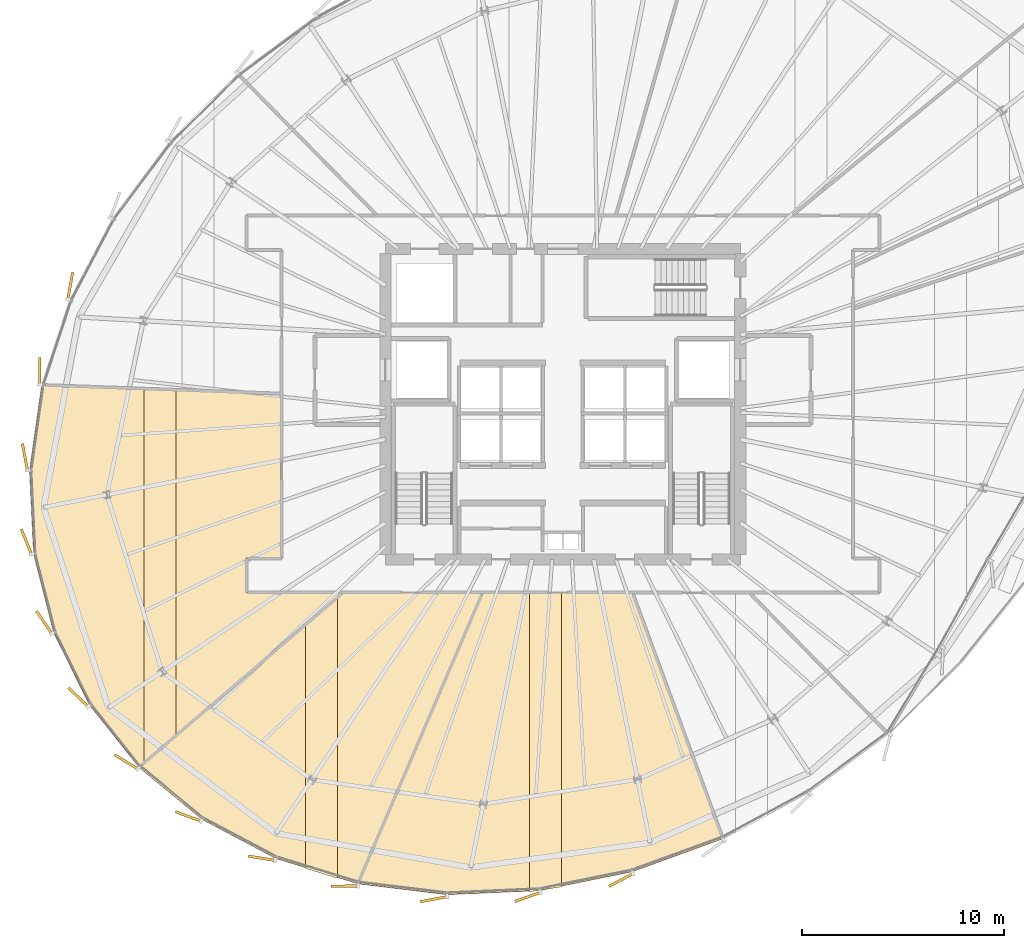
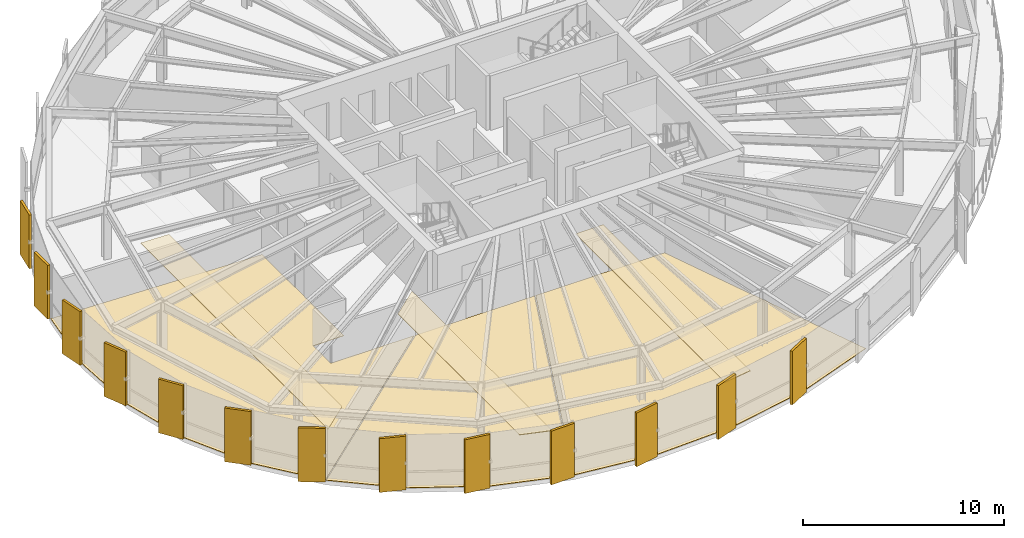
# One storey, part 33 of 36: 19 coverings.
"""IFC4 building model written with IfcOpenShell, lengths in metres."""

from ifc_helpers import new_model, si_unit, direction, frame, origin, origin_2d, place, context, subcontext, project, spatial, polyline, rectangle, outline, extrude, source, transform, mapped, material, layer, layer_set, type_object, element, save


model = new_model("IFC4")

# Units and contexts
model_context = context("Model", 3, precision=1e-05, world=origin(), true_north=direction((0.0, 1.0)))
body_context = subcontext(model_context, "Body", "Model", "MODEL_VIEW")
ifc_project = project(units=[si_unit("LENGTHUNIT", "METRE"), si_unit("AREAUNIT", "SQUARE_METRE"), si_unit("VOLUMEUNIT", "CUBIC_METRE"), si_unit("PLANEANGLEUNIT", "RADIAN"), si_unit("MASSUNIT", "GRAM", prefix="KILO"), si_unit("THERMODYNAMICTEMPERATUREUNIT", "KELVIN")], contexts=[model_context])

# Site, building, storey
site_placement = place(None, origin())
site = spatial("IfcSite", under=ifc_project, at=site_placement, CompositionType="ELEMENT")
building_placement = place(site_placement, origin())
building = spatial("IfcBuilding", under=site, at=building_placement, Name="Kethvar Cultural Tower", CompositionType="ELEMENT")
storey_placement = place(building_placement, frame((0.0, 0.0, 164.300048828125)))
storey = spatial("IfcBuildingStorey", under=building, at=storey_placement, Name="L42", CompositionType="ELEMENT", Elevation=164.300048828125)

# Coverings
ifc_material_1 = material(Name="Acoustic Mineral Fibre Ceiling")
ifc_layer_1 = layer(ifc_material_1, 0.0400390625, Name="Acoustic Mineral Fibre Ceiling")
ifc_layer_set_1 = layer_set([ifc_layer_1], Name="Acoustic Mineral Fibre Ceiling (40 mm)")
covering_type_1 = type_object("IfcCoveringType", Name="CV-ACOUSTIC-CEIL", PredefinedType="CEILING", material=ifc_layer_set_1)
covering_1_placement = place(storey_placement, frame((0.0, 0.0, 2.889892578125)))
element("IfcCovering", 1, at=covering_1_placement, inside=storey, type_object=covering_type_1, Name="L42 Room 01 Acoustic Ceiling Panel", PredefinedType="CEILING", context=body_context, shape_type="SweptSolid", body=[
    extrude(outline(polyline([(34.02587890625, 4.76904296875), (34.02587890625, 16.867919921875), (35.615966796875, 18.23193359375), (35.615966796875, 4.27978515625), (34.02587890625, 4.76904296875)])), origin(), (0.0, 0.0, 1.0), 0.0400390625),
])
covering_2_placement = place(storey_placement, frame((0.0, 0.0, 2.889892578125)))
element("IfcCovering", 2, at=covering_2_placement, inside=storey, type_object=covering_type_1, Name="L42 Room 02 Acoustic Ceiling Panel", PredefinedType="CEILING", context=body_context, shape_type="SweptSolid", body=[
    extrude(outline(polyline([(46.72802734375, 3.85009765625), (45.137939453125, 3.606689453125), (45.137939453125, 18.469970703125), (46.72802734375, 18.469970703125), (46.72802734375, 3.85009765625)])), origin(), (0.0, 0.0, 1.0), 0.0400390625),
])
covering_3_placement = place(storey_placement, frame((0.0, 0.0, 2.889892578125)))
element("IfcCovering", 3, at=covering_3_placement, inside=storey, type_object=covering_type_1, Name="L42 Room 10 Acoustic Ceiling Panel", PredefinedType="CEILING", context=body_context, shape_type="SweptSolid", body=[
    extrude(outline(polyline([(27.606689453125, 28.531494140625), (27.606689453125, 11.30859375), (26.0166015625, 9.944580078125), (26.0166015625, 28.590576171875), (27.606689453125, 28.531494140625)])), origin(), (0.0, 0.0, 1.0), 0.0400390625),
])
ifc_material_2 = material(Name="Architectural Oak Timber", Category="wood")
ifc_layer_2 = layer(ifc_material_2, 0.02490234375, Name="Architectural Oak Timber", Category="wood")
ifc_layer_set_2 = layer_set([ifc_layer_2], Name="Architectural Oak Timber (25 mm)")
covering_type_2 = type_object("IfcCoveringType", Name="CV-OAK-FLOOR", PredefinedType="FLOORING", material=ifc_layer_set_2)
covering_4_placement = place(storey_placement, origin())
element("IfcCovering", 4, at=covering_4_placement, inside=storey, type_object=covering_type_2, Name="L42 Room 01 Floor Finish", PredefinedType="FLOORING", context=body_context, shape_type="SweptSolid", body=[
    extrude(outline(polyline([(36.640869140625, 4.006591796875), (32.562744140625, 5.260986328125), (28.902099609375, 7.20458984375), (25.802001953125, 9.76025390625), (35.908203125, 18.429931640625), (42.785888671875, 18.429931640625), (36.640869140625, 4.006591796875)])), origin(), (0.0, 0.0, 1.0), 0.02490234375),
])
covering_5_placement = place(storey_placement, origin())
element("IfcCovering", 5, at=covering_5_placement, inside=storey, type_object=covering_type_2, Name="L42 Room 02 Floor Finish", PredefinedType="FLOORING", context=body_context, shape_type="SweptSolid", body=[
    extrude(outline(polyline([(50.2470703125, 4.60546875), (45.635009765625, 3.6689453125), (41.058349609375, 3.465576171875), (36.680908203125, 3.998779296875), (42.82958984375, 18.429931640625), (50.237548828125, 18.429931640625), (54.737060546875, 6.24072265625), (50.2470703125, 4.60546875)])), origin(), (0.0, 0.0, 1.0), 0.02490234375),
])
covering_6_placement = place(storey_placement, origin())
element("IfcCovering", 6, at=covering_6_placement, inside=storey, type_object=covering_type_2, Name="L42 Room 10 Floor Finish", PredefinedType="FLOORING", context=body_context, shape_type="SweptSolid", body=[
    extrude(outline(polyline([(23.306884765625, 12.890625), (21.5419921875, 16.46044921875), (20.544189453125, 20.37451171875), (20.343994140625, 24.514404296875), (20.9453125, 28.73828125), (32.830078125, 28.2978515625), (32.830078125, 20.169921875), (31.0859375, 20.1640625), (31.080810546875, 18.444091796875), (35.8466796875, 18.429931640625), (25.7734375, 9.78857421875), (23.306884765625, 12.890625)])), origin(), (0.0, 0.0, 1.0), 0.02490234375),
])
ifc_material_3 = material(Name="Extruded Architectural Terracotta", Category="masonry")
ifc_layer_3 = layer(ifc_material_3, 0.135009765625, Name="Extruded Architectural Terracotta", Category="masonry")
ifc_layer_set_3 = layer_set([ifc_layer_3], Name="Extruded Architectural Terracotta (135 mm)")
covering_type_3 = type_object("IfcCoveringType", Name="Terracotta Facade Fin FIN-02", PredefinedType="CLADDING", material=ifc_layer_set_3)
shared_shape = source(origin(), body_context, "Body", "SweptSolid", [
    extrude(rectangle(XDim=1.35009765625, YDim=0.135009765625, at=origin_2d()), origin(), (0.0, 0.0, 1.0), 3.260009765625),
])
for number, where, z_axis, x_axis, name in (
    (7, (22.362548828125, 33.662841796875, 0.02001953125), (0.0, 0.0, 1.0), (0.178115290264, 0.984009625651, 0.0), "L42 Vertical Terracotta Fin 3.2"),
    (8, (20.85009765625, 29.4453125, 0.02001953125), (0.0, 0.0, 1.0), (0.001745328366, 0.999998476913, 0.0), "L42 Vertical Terracotta Fin 3.3"),
    (9, (20.117919921875, 25.174560546875, 0.02001953125), (0.0, 0.0, 1.0), (-0.186866964522, 0.982385228701, 0.0), "L42 Vertical Terracotta Fin 3.4"),
    (10, (20.190673828125, 20.976318359375, 0.02001953125), (0.0, 0.0, 1.0), (-0.379456159529, 0.925209718386, 0.0), "L42 Vertical Terracotta Fin 3.5"),
    (11, (21.07080078125, 16.9755859375, 0.02001953125), (0.0, 0.0, 1.0), (-0.563670221706, 0.825999928064, 0.0), "L42 Vertical Terracotta Fin 3.6"),
    (12, (22.761962890625, 13.264404296875, 0.02001953125), (0.0, 0.0, 1.0), (-0.725254219427, 0.68848116692, 0.0), "L42 Vertical Terracotta Fin 4.1"),
    (13, (25.144287109375, 10.05078125, 0.02001953125), (0.0, 0.0, 1.0), (-0.852640164354, 0.522498564716, 0.0), "L42 Vertical Terracotta Fin 4.2"),
    (14, (28.218994140625, 7.347900390625, 0.02001953125), (0.0, 0.0, 1.0), (-0.939871573295, 0.341528074559, 0.0), "L42 Vertical Terracotta Fin 4.3"),
    (15, (31.864990234375, 5.272705078125, 0.02001953125), (0.0, 0.0, 1.0), (-0.987413806751, 0.158158067254, 0.0), "L42 Vertical Terracotta Fin 4.4"),
    (16, (35.967529296875, 3.89013671875, 0.02001953125), (0.0, 0.0, 1.0), (-0.999828870815, -0.018499434735, 0.0), "L42 Vertical Terracotta Fin 4.5"),
    (17, (40.3974609375, 3.2421875, 0.02001953125), (0.0, 0.0, 1.0), (-0.983127443564, -0.182921922448, 0.0), "L42 Vertical Terracotta Fin 4.6"),
    (18, (45.054931640625, 3.353271484375, 0.02001953125), (0.0, 0.0, 1.0), (-0.942757954236, -0.33347779495, 0.0), "L42 Vertical Terracotta Fin 5.1"),
    (19, (49.68408203125, 4.194091796875, 0.02001953125), (0.0, 0.0, 1.0), (-0.882865641166, -0.469625659061, 0.0), "L42 Vertical Terracotta Fin 5.2"),
):
    element("IfcCovering", number, at=place(storey_placement, frame(where, z_axis=z_axis, x_axis=x_axis)), inside=storey, type_object=covering_type_3, Name=name, PredefinedType="CLADDING", context=body_context, shape_type="MappedRepresentation", body=[
        mapped(shared_shape, transform((0.0, 0.0, 0.0), scale=1.0)),
    ])

save(model, "model.ifc")
